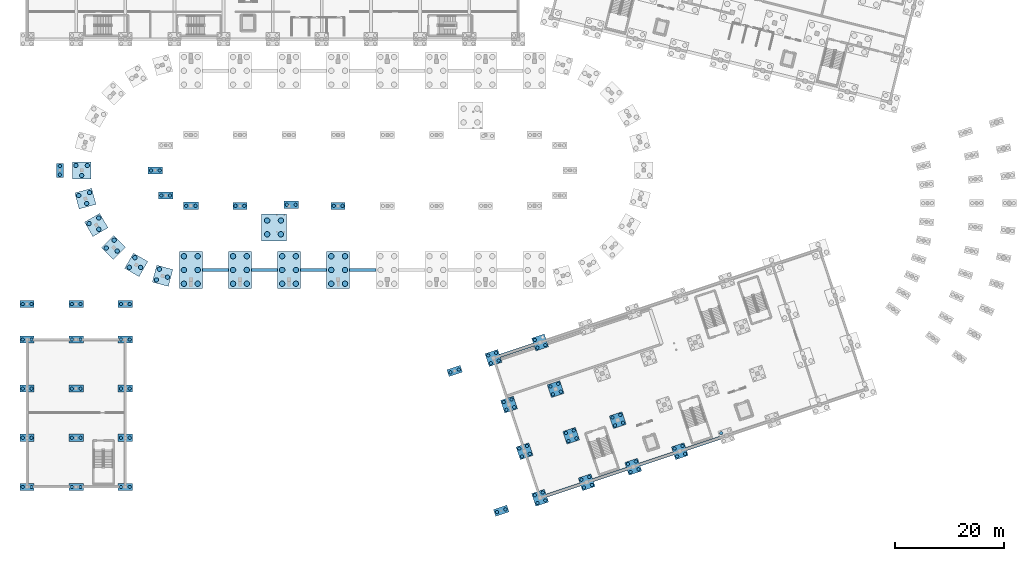
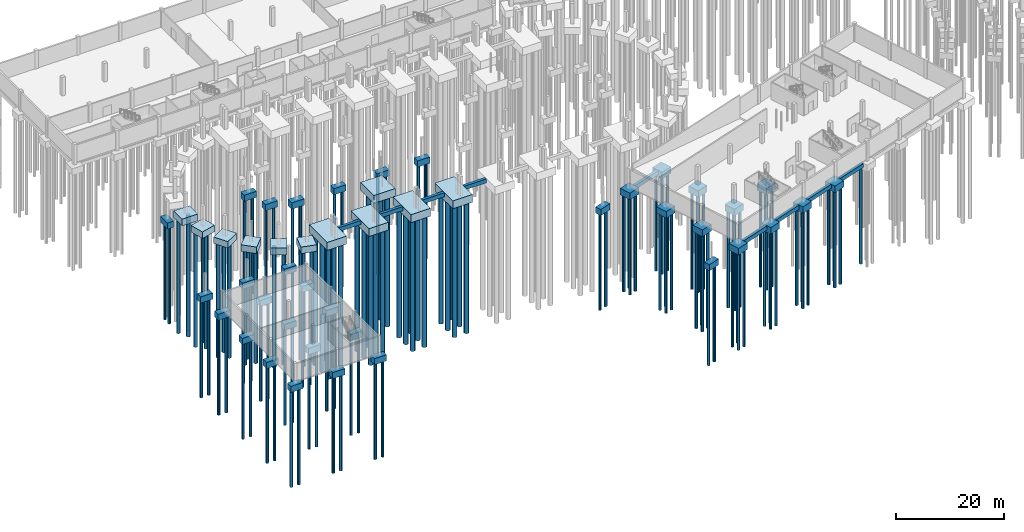
# One storey, part 1 of 36: 138 piles, 55 footings.
"""IFC4 building model written with IfcOpenShell, lengths in metres."""

from ifc_helpers import new_model, si_unit, derived_unit, direction, frame, origin, origin_2d, place, context, subcontext, project, spatial, rectangle, circle, extrude, material, material_profile, profile_set, type_object, element, save


model = new_model("IFC4")

# Units and contexts
model_context = context("Model", 3, precision=1e-05, world=origin(), true_north=direction((0.0, 1.0)))
body_context = subcontext(model_context, "Body", "Model", "MODEL_VIEW")
ifc_project = project(units=[si_unit("LENGTHUNIT", "METRE"), si_unit("AREAUNIT", "SQUARE_METRE"), si_unit("VOLUMEUNIT", "CUBIC_METRE"), si_unit("PLANEANGLEUNIT", "RADIAN"), si_unit("MASSUNIT", "GRAM", prefix="KILO"), si_unit("THERMODYNAMICTEMPERATUREUNIT", "KELVIN"), si_unit("TIMEUNIT", "SECOND"), derived_unit("THERMALTRANSMITTANCEUNIT", [(si_unit("MASSUNIT", "GRAM", prefix="KILO"), 1), (si_unit("THERMODYNAMICTEMPERATUREUNIT", "KELVIN"), -1), (si_unit("TIMEUNIT", "SECOND"), -3)])], contexts=[model_context])

# Site, building, storey
site_placement = place(None, origin())
site = spatial("IfcSite", under=ifc_project, at=site_placement, CompositionType="ELEMENT")
building_placement = place(site_placement, origin())
building = spatial("IfcBuilding", under=site, at=building_placement, Name="Cambertide Market Hall", CompositionType="ELEMENT")
storey_placement = place(building_placement, frame((0.0, 0.0, -4.199951171875)))
storey = spatial("IfcBuildingStorey", under=building, at=storey_placement, Name="B1", CompositionType="ELEMENT", Elevation=-4.199951171875)

# Piles
ifc_material_1 = material(Name="Concrete B35", Category="concrete")
ifc_material_profile_1 = material_profile(ifc_material_1, circle(Radius=0.5, at=origin_2d()), Name="BP D1000")
ifc_profile_set_1 = profile_set([ifc_material_profile_1], Name="Concrete B35")
pile_type_1 = type_object("IfcPileType", Name="Bored Pile BP-1000", PredefinedType="BORED", material=ifc_profile_set_1)
for number, where, z_axis, x_axis, name in (
    (1, (40.739990234375, 51.22998046875, -2.10009765625), (0.0, 0.0, -1.0), (1.0, 0.0, 0.0), "Basement 1 Bored Pile V1-S1-1"),
    (2, (43.260009765625, 51.22998046875, -2.10009765625), (0.0, 0.0, -1.0), (1.0, 0.0, 0.0), "Basement 1 Bored Pile V1-S1-2"),
    (3, (40.739990234375, 53.75, -2.10009765625), (0.0, 0.0, -1.0), (1.0, 0.0, 0.0), "Basement 1 Bored Pile V1-S1-3"),
    (4, (43.260009765625, 53.75, -2.10009765625), (0.0, 0.0, -1.0), (1.0, 0.0, 0.0), "Basement 1 Bored Pile V1-S1-4"),
    (5, (40.739990234375, 56.27001953125, -2.10009765625), (0.0, 0.0, -1.0), (1.0, 0.0, 0.0), "Basement 1 Bored Pile V1-S1-5"),
    (6, (43.260009765625, 56.27001953125, -2.10009765625), (0.0, 0.0, -1.0), (1.0, 0.0, 0.0), "Basement 1 Bored Pile V1-S1-6"),
    (7, (49.739990234375, 51.22998046875, -2.10009765625), (0.0, 0.0, -1.0), (1.0, 0.0, 0.0), "Basement 1 Bored Pile V1-S2-1"),
    (8, (52.260009765625, 51.22998046875, -2.10009765625), (0.0, 0.0, -1.0), (1.0, 0.0, 0.0), "Basement 1 Bored Pile V1-S2-2"),
    (9, (49.739990234375, 53.75, -2.10009765625), (0.0, 0.0, -1.0), (1.0, 0.0, 0.0), "Basement 1 Bored Pile V1-S2-3"),
    (10, (52.260009765625, 53.75, -2.10009765625), (0.0, 0.0, -1.0), (1.0, 0.0, 0.0), "Basement 1 Bored Pile V1-S2-4"),
    (11, (49.739990234375, 56.27001953125, -2.10009765625), (0.0, 0.0, -1.0), (1.0, 0.0, 0.0), "Basement 1 Bored Pile V1-S2-5"),
    (12, (52.260009765625, 56.27001953125, -2.10009765625), (0.0, 0.0, -1.0), (1.0, 0.0, 0.0), "Basement 1 Bored Pile V1-S2-6"),
    (13, (58.739990234375, 51.22998046875, -2.10009765625), (0.0, 0.0, -1.0), (1.0, 0.0, 0.0), "Basement 1 Bored Pile V1-S3-1"),
    (14, (61.260009765625, 51.22998046875, -2.10009765625), (0.0, 0.0, -1.0), (1.0, 0.0, 0.0), "Basement 1 Bored Pile V1-S3-2"),
    (15, (58.739990234375, 53.75, -2.10009765625), (0.0, 0.0, -1.0), (1.0, 0.0, 0.0), "Basement 1 Bored Pile V1-S3-3"),
    (16, (61.260009765625, 53.75, -2.10009765625), (0.0, 0.0, -1.0), (1.0, 0.0, 0.0), "Basement 1 Bored Pile V1-S3-4"),
    (17, (58.739990234375, 56.27001953125, -2.10009765625), (0.0, 0.0, -1.0), (1.0, 0.0, 0.0), "Basement 1 Bored Pile V1-S3-5"),
    (18, (61.260009765625, 56.27001953125, -2.10009765625), (0.0, 0.0, -1.0), (1.0, 0.0, 0.0), "Basement 1 Bored Pile V1-S3-6"),
    (19, (67.739990234375, 51.22998046875, -2.10009765625), (0.0, 0.0, -1.0), (1.0, 0.0, 0.0), "Basement 1 Bored Pile V1-S4-1"),
    (20, (70.260009765625, 51.22998046875, -2.10009765625), (0.0, 0.0, -1.0), (1.0, 0.0, 0.0), "Basement 1 Bored Pile V1-S4-2"),
    (21, (67.739990234375, 53.75, -2.10009765625), (0.0, 0.0, -1.0), (1.0, 0.0, 0.0), "Basement 1 Bored Pile V1-S4-3"),
    (22, (70.260009765625, 53.75, -2.10009765625), (0.0, 0.0, -1.0), (1.0, 0.0, 0.0), "Basement 1 Bored Pile V1-S4-4"),
    (23, (67.739990234375, 56.27001953125, -2.10009765625), (0.0, 0.0, -1.0), (1.0, 0.0, 0.0), "Basement 1 Bored Pile V1-S4-5"),
    (24, (70.260009765625, 56.27001953125, -2.10009765625), (0.0, 0.0, -1.0), (1.0, 0.0, 0.0), "Basement 1 Bored Pile V1-S4-6"),
    (25, (55.989990234375, 60.2900390625, -1.949951171875), (0.0, 0.0, -1.0), (1.0, 0.0, 0.0), "Basement 1 Feature Stair Bored Pile ST10-1"),
    (26, (58.510009765625, 60.2900390625, -1.949951171875), (0.0, 0.0, -1.0), (1.0, 0.0, 0.0), "Basement 1 Feature Stair Bored Pile ST10-2"),
    (27, (55.989990234375, 62.81005859375, -1.949951171875), (0.0, 0.0, -1.0), (1.0, 0.0, 0.0), "Basement 1 Feature Stair Bored Pile ST10-3"),
    (28, (58.510009765625, 62.81005859375, -1.949951171875), (0.0, 0.0, -1.0), (1.0, 0.0, 0.0), "Basement 1 Feature Stair Bored Pile ST10-4"),
):
    element("IfcPile", number, at=place(storey_placement, frame(where, z_axis=z_axis, x_axis=x_axis)), inside=storey, type_object=pile_type_1, Name=name, PredefinedType="BORED", context=body_context, shape_type="SweptSolid", body=[
        extrude(circle(Radius=0.5, at=origin_2d()), origin(), (0.0, 0.0, 1.0), 29.800048828125),
    ])
ifc_material_2 = material(Name="Concrete B35", Category="concrete")
ifc_material_profile_2 = material_profile(ifc_material_2, circle(Radius=0.300048828125, at=origin_2d()), Name="BP D600")
ifc_profile_set_2 = profile_set([ifc_material_profile_2], Name="Concrete B35")
pile_type_2 = type_object("IfcPileType", Name="Bored Pile BP-600", PredefinedType="BORED", material=ifc_profile_set_2)
for number, where, z_axis, x_axis, name in (
    (29, (41.14990234375, 65.5, -1.75), (0.0, 0.0, -1.0), (1.0, 0.0, 0.0), "Basement 1 Bored Pile V1-MS1-1"),
    (30, (42.85009765625, 65.5, -1.75), (0.0, 0.0, -1.0), (1.0, 0.0, 0.0), "Basement 1 Bored Pile V1-MS1-2"),
    (31, (50.199951171875, 65.5, -1.699951171875), (0.0, 0.0, -1.0), (1.0, 0.0, 0.0), "Basement 1 Bored Pile V1-MS2-1"),
    (32, (51.800048828125, 65.5, -1.699951171875), (0.0, 0.0, -1.0), (1.0, 0.0, 0.0), "Basement 1 Bored Pile V1-MS2-2"),
    (33, (59.60009765625, 65.699951171875, -1.699951171875), (0.0, 0.0, -1.0), (1.0, 0.0, 0.0), "Basement 1 Bored Pile V1-MS3-1"),
    (34, (61.199951171875, 65.699951171875, -1.699951171875), (0.0, 0.0, -1.0), (1.0, 0.0, 0.0), "Basement 1 Bored Pile V1-MS3-2"),
    (35, (68.199951171875, 65.5, -1.699951171875), (0.0, 0.0, -1.0), (1.0, 0.0, 0.0), "Basement 1 Bored Pile V1-MS4-1"),
    (36, (69.800048828125, 65.5, -1.699951171875), (0.0, 0.0, -1.0), (1.0, 0.0, 0.0), "Basement 1 Bored Pile V1-MS4-2"),
    (37, (34.699951171875, 72.0, -1.699951171875), (0.0, 0.0, -1.0), (1.0, 0.0, 0.0), "Basement 1 Bored Pile V1-MW12-1"),
    (38, (36.300048828125, 72.0, -1.699951171875), (0.0, 0.0, -1.0), (1.0, 0.0, 0.0), "Basement 1 Bored Pile V1-MW12-2"),
    (39, (36.603759765625, 67.40380859375, -1.699951171875), (0.0, 0.0, -1.0), (1.0, 0.0, 0.0), "Basement 1 Bored Pile V1-MW18-1"),
    (40, (38.203857421875, 67.40380859375, -1.699951171875), (0.0, 0.0, -1.0), (1.0, 0.0, 0.0), "Basement 1 Bored Pile V1-MW18-2"),
    (41, (11.199951171875, 14.0, -1.699951171875), (0.0, 0.0, -1.0), (1.0, 0.0, 0.0), "Basement 1 Bored Pile V2SW-1-1-1"),
    (42, (12.800048828125, 14.0, -1.699951171875), (0.0, 0.0, -1.0), (1.0, 0.0, 0.0), "Basement 1 Bored Pile V2SW-1-1-2"),
    (43, (11.199951171875, 23.0, -1.699951171875), (0.0, 0.0, -1.0), (1.0, 0.0, 0.0), "Basement 1 Bored Pile V2SW-1-2-1"),
    (44, (12.800048828125, 23.0, -1.699951171875), (0.0, 0.0, -1.0), (1.0, 0.0, 0.0), "Basement 1 Bored Pile V2SW-1-2-2"),
    (45, (11.199951171875, 32.0, -1.699951171875), (0.0, 0.0, -1.0), (1.0, 0.0, 0.0), "Basement 1 Bored Pile V2SW-1-3-1"),
    (46, (12.800048828125, 32.0, -1.699951171875), (0.0, 0.0, -1.0), (1.0, 0.0, 0.0), "Basement 1 Bored Pile V2SW-1-3-2"),
    (47, (11.199951171875, 41.0, -1.699951171875), (0.0, 0.0, -1.0), (1.0, 0.0, 0.0), "Basement 1 Bored Pile V2SW-1-4-1"),
    (48, (12.800048828125, 41.0, -1.699951171875), (0.0, 0.0, -1.0), (1.0, 0.0, 0.0), "Basement 1 Bored Pile V2SW-1-4-2"),
    (49, (20.199951171875, 14.0, -1.699951171875), (0.0, 0.0, -1.0), (1.0, 0.0, 0.0), "Basement 1 Bored Pile V2SW-2-1-1"),
    (50, (21.800048828125, 14.0, -1.699951171875), (0.0, 0.0, -1.0), (1.0, 0.0, 0.0), "Basement 1 Bored Pile V2SW-2-1-2"),
    (51, (20.199951171875, 23.0, -1.699951171875), (0.0, 0.0, -1.0), (1.0, 0.0, 0.0), "Basement 1 Bored Pile V2SW-2-2-1"),
    (52, (21.800048828125, 23.0, -1.699951171875), (0.0, 0.0, -1.0), (1.0, 0.0, 0.0), "Basement 1 Bored Pile V2SW-2-2-2"),
    (53, (20.199951171875, 32.0, -1.699951171875), (0.0, 0.0, -1.0), (1.0, 0.0, 0.0), "Basement 1 Bored Pile V2SW-2-3-1"),
    (54, (21.800048828125, 32.0, -1.699951171875), (0.0, 0.0, -1.0), (1.0, 0.0, 0.0), "Basement 1 Bored Pile V2SW-2-3-2"),
    (55, (20.199951171875, 41.0, -1.699951171875), (0.0, 0.0, -1.0), (1.0, 0.0, 0.0), "Basement 1 Bored Pile V2SW-2-4-1"),
    (56, (21.800048828125, 41.0, -1.699951171875), (0.0, 0.0, -1.0), (1.0, 0.0, 0.0), "Basement 1 Bored Pile V2SW-2-4-2"),
    (57, (29.199951171875, 14.0, -1.699951171875), (0.0, 0.0, -1.0), (1.0, 0.0, 0.0), "Basement 1 Bored Pile V2SW-3-1-1"),
    (58, (30.800048828125, 14.0, -1.699951171875), (0.0, 0.0, -1.0), (1.0, 0.0, 0.0), "Basement 1 Bored Pile V2SW-3-1-2"),
    (59, (29.199951171875, 23.0, -1.699951171875), (0.0, 0.0, -1.0), (1.0, 0.0, 0.0), "Basement 1 Bored Pile V2SW-3-2-1"),
    (60, (30.800048828125, 23.0, -1.699951171875), (0.0, 0.0, -1.0), (1.0, 0.0, 0.0), "Basement 1 Bored Pile V2SW-3-2-2"),
    (61, (29.199951171875, 32.0, -1.699951171875), (0.0, 0.0, -1.0), (1.0, 0.0, 0.0), "Basement 1 Bored Pile V2SW-3-3-1"),
    (62, (30.800048828125, 32.0, -1.699951171875), (0.0, 0.0, -1.0), (1.0, 0.0, 0.0), "Basement 1 Bored Pile V2SW-3-3-2"),
    (63, (29.199951171875, 41.0, -1.699951171875), (0.0, 0.0, -1.0), (1.0, 0.0, 0.0), "Basement 1 Bored Pile V2SW-3-4-1"),
    (64, (30.800048828125, 41.0, -1.699951171875), (0.0, 0.0, -1.0), (1.0, 0.0, 0.0), "Basement 1 Bored Pile V2SW-3-4-2"),
    (65, (11.199951171875, 47.5, -1.699951171875), (0.0, 0.0, -1.0), (1.0, 0.0, 0.0), "Basement 1 Bored Pile V2SW-LNK1-1"),
    (66, (12.800048828125, 47.5, -1.699951171875), (0.0, 0.0, -1.0), (1.0, 0.0, 0.0), "Basement 1 Bored Pile V2SW-LNK1-2"),
    (67, (20.199951171875, 47.5, -1.699951171875), (0.0, 0.0, -1.0), (1.0, 0.0, 0.0), "Basement 1 Bored Pile V2SW-LNK2-1"),
    (68, (21.800048828125, 47.5, -1.699951171875), (0.0, 0.0, -1.0), (1.0, 0.0, 0.0), "Basement 1 Bored Pile V2SW-LNK2-2"),
    (69, (29.199951171875, 47.5, -1.699951171875), (0.0, 0.0, -1.0), (1.0, 0.0, 0.0), "Basement 1 Bored Pile V2SW-LNK3-1"),
    (70, (30.800048828125, 47.5, -1.699951171875), (0.0, 0.0, -1.0), (1.0, 0.0, 0.0), "Basement 1 Bored Pile V2SW-LNK3-2"),
    (71, (105.5224609375, 11.044921875, -1.800048828125), (0.0, 0.0, -1.0), (1.0, 0.0, 0.0), "Basement 1 Bored Pile V3-1-1-1"),
    (72, (106.955078125, 11.5224609375, -1.800048828125), (0.0, 0.0, -1.0), (1.0, 0.0, 0.0), "Basement 1 Bored Pile V3-1-1-2"),
    (73, (105.044921875, 12.4775390625, -1.800048828125), (0.0, 0.0, -1.0), (1.0, 0.0, 0.0), "Basement 1 Bored Pile V3-1-1-3"),
    (74, (106.4775390625, 12.955078125, -1.800048828125), (0.0, 0.0, -1.0), (1.0, 0.0, 0.0), "Basement 1 Bored Pile V3-1-1-4"),
    (75, (102.676513671875, 19.583251953125, -1.800048828125), (0.0, 0.0, -1.0), (1.0, 0.0, 0.0), "Basement 1 Bored Pile V3-1-2-1"),
    (76, (104.10888671875, 20.060546875, -1.800048828125), (0.0, 0.0, -1.0), (1.0, 0.0, 0.0), "Basement 1 Bored Pile V3-1-2-2"),
    (77, (102.198974609375, 21.015625, -1.800048828125), (0.0, 0.0, -1.0), (1.0, 0.0, 0.0), "Basement 1 Bored Pile V3-1-2-3"),
    (78, (103.63134765625, 21.4931640625, -1.800048828125), (0.0, 0.0, -1.0), (1.0, 0.0, 0.0), "Basement 1 Bored Pile V3-1-2-4"),
    (79, (99.830322265625, 28.121337890625, -1.800048828125), (0.0, 0.0, -1.0), (1.0, 0.0, 0.0), "Basement 1 Bored Pile V3-1-3-1"),
    (80, (101.262939453125, 28.598876953125, -1.800048828125), (0.0, 0.0, -1.0), (1.0, 0.0, 0.0), "Basement 1 Bored Pile V3-1-3-2"),
    (81, (99.352783203125, 29.5537109375, -1.800048828125), (0.0, 0.0, -1.0), (1.0, 0.0, 0.0), "Basement 1 Bored Pile V3-1-3-3"),
    (82, (100.785400390625, 30.03125, -1.800048828125), (0.0, 0.0, -1.0), (1.0, 0.0, 0.0), "Basement 1 Bored Pile V3-1-3-4"),
    (83, (96.984375, 36.659423828125, -1.800048828125), (0.0, 0.0, -1.0), (1.0, 0.0, 0.0), "Basement 1 Bored Pile V3-1-4-1"),
    (84, (98.416748046875, 37.136962890625, -1.800048828125), (0.0, 0.0, -1.0), (1.0, 0.0, 0.0), "Basement 1 Bored Pile V3-1-4-2"),
    (85, (96.5068359375, 38.092041015625, -1.800048828125), (0.0, 0.0, -1.0), (1.0, 0.0, 0.0), "Basement 1 Bored Pile V3-1-4-3"),
    (86, (97.939453125, 38.5693359375, -1.800048828125), (0.0, 0.0, -1.0), (1.0, 0.0, 0.0), "Basement 1 Bored Pile V3-1-4-4"),
    (87, (114.060546875, 13.89111328125, -1.800048828125), (0.0, 0.0, -1.0), (1.0, 0.0, 0.0), "Basement 1 Bored Pile V3-2-1-1"),
    (88, (115.4931640625, 14.36865234375, -1.800048828125), (0.0, 0.0, -1.0), (1.0, 0.0, 0.0), "Basement 1 Bored Pile V3-2-1-2"),
    (89, (113.583251953125, 15.323486328125, -1.800048828125), (0.0, 0.0, -1.0), (1.0, 0.0, 0.0), "Basement 1 Bored Pile V3-2-1-3"),
    (90, (115.015625, 15.801025390625, -1.800048828125), (0.0, 0.0, -1.0), (1.0, 0.0, 0.0), "Basement 1 Bored Pile V3-2-1-4"),
    (91, (111.214599609375, 22.42919921875, -1.800048828125), (0.0, 0.0, -1.0), (1.0, 0.0, 0.0), "Basement 1 Bored Pile V3-2-2-1"),
    (92, (112.647216796875, 22.90673828125, -1.800048828125), (0.0, 0.0, -1.0), (1.0, 0.0, 0.0), "Basement 1 Bored Pile V3-2-2-2"),
    (93, (110.737060546875, 23.86181640625, -1.800048828125), (0.0, 0.0, -1.0), (1.0, 0.0, 0.0), "Basement 1 Bored Pile V3-2-2-3"),
    (94, (112.169677734375, 24.339111328125, -1.800048828125), (0.0, 0.0, -1.0), (1.0, 0.0, 0.0), "Basement 1 Bored Pile V3-2-2-4"),
    (95, (108.36865234375, 30.96728515625, -1.800048828125), (0.0, 0.0, -1.0), (1.0, 0.0, 0.0), "Basement 1 Bored Pile V3-2-3-1"),
    (96, (109.801025390625, 31.44482421875, -1.800048828125), (0.0, 0.0, -1.0), (1.0, 0.0, 0.0), "Basement 1 Bored Pile V3-2-3-2"),
    (97, (107.89111328125, 32.39990234375, -1.800048828125), (0.0, 0.0, -1.0), (1.0, 0.0, 0.0), "Basement 1 Bored Pile V3-2-3-3"),
    (98, (109.323486328125, 32.87744140625, -1.800048828125), (0.0, 0.0, -1.0), (1.0, 0.0, 0.0), "Basement 1 Bored Pile V3-2-3-4"),
    (99, (105.5224609375, 39.50537109375, -1.800048828125), (0.0, 0.0, -1.0), (1.0, 0.0, 0.0), "Basement 1 Bored Pile V3-2-4-1"),
    (100, (106.955078125, 39.98291015625, -1.800048828125), (0.0, 0.0, -1.0), (1.0, 0.0, 0.0), "Basement 1 Bored Pile V3-2-4-2"),
    (101, (105.044921875, 40.93798828125, -1.800048828125), (0.0, 0.0, -1.0), (1.0, 0.0, 0.0), "Basement 1 Bored Pile V3-2-4-3"),
    (102, (122.598876953125, 16.737060546875, -1.800048828125), (0.0, 0.0, -1.0), (1.0, 0.0, 0.0), "Basement 1 Bored Pile V3-3-1-1"),
    (103, (124.03125, 17.214599609375, -1.800048828125), (0.0, 0.0, -1.0), (1.0, 0.0, 0.0), "Basement 1 Bored Pile V3-3-1-2"),
    (104, (122.121337890625, 18.169677734375, -1.800048828125), (0.0, 0.0, -1.0), (1.0, 0.0, 0.0), "Basement 1 Bored Pile V3-3-1-3"),
    (105, (123.5537109375, 18.647216796875, -1.800048828125), (0.0, 0.0, -1.0), (1.0, 0.0, 0.0), "Basement 1 Bored Pile V3-3-1-4"),
    (106, (119.752685546875, 25.275146484375, -1.800048828125), (0.0, 0.0, -1.0), (1.0, 0.0, 0.0), "Basement 1 Bored Pile V3-3-2-1"),
    (107, (121.185302734375, 25.752685546875, -1.800048828125), (0.0, 0.0, -1.0), (1.0, 0.0, 0.0), "Basement 1 Bored Pile V3-3-2-2"),
    (108, (119.275146484375, 26.707763671875, -1.800048828125), (0.0, 0.0, -1.0), (1.0, 0.0, 0.0), "Basement 1 Bored Pile V3-3-2-3"),
    (109, (120.707763671875, 27.185302734375, -1.800048828125), (0.0, 0.0, -1.0), (1.0, 0.0, 0.0), "Basement 1 Bored Pile V3-3-2-4"),
    (110, (131.136962890625, 19.583251953125, -1.800048828125), (0.0, 0.0, -1.0), (1.0, 0.0, 0.0), "Basement 1 Bored Pile V3-4-1-1"),
    (111, (132.5693359375, 20.060546875, -1.800048828125), (0.0, 0.0, -1.0), (1.0, 0.0, 0.0), "Basement 1 Bored Pile V3-4-1-2"),
    (112, (130.659423828125, 21.015625, -1.800048828125), (0.0, 0.0, -1.0), (1.0, 0.0, 0.0), "Basement 1 Bored Pile V3-4-1-3"),
    (113, (132.092041015625, 21.4931640625, -1.800048828125), (0.0, 0.0, -1.0), (1.0, 0.0, 0.0), "Basement 1 Bored Pile V3-4-1-4"),
    (114, (139.197509765625, 23.86181640625, -1.800048828125), (0.0, 0.0, -1.0), (1.0, 0.0, 0.0), "Basement 1 Bored Pile V3-5-1-3"),
    (115, (98.1259765625, 9.375244140625, -1.699951171875), (0.0, 0.0, -1.0), (1.0, 0.0, 0.0), "Basement 1 Bored Pile V3APR-1-1"),
    (116, (99.643798828125, 9.88134765625, -1.699951171875), (0.0, 0.0, -1.0), (1.0, 0.0, 0.0), "Basement 1 Bored Pile V3APR-1-2"),
    (117, (89.587890625, 34.98974609375, -1.699951171875), (0.0, 0.0, -1.0), (1.0, 0.0, 0.0), "Basement 1 Bored Pile V3APR-2-1"),
    (118, (91.105712890625, 35.49560546875, -1.699951171875), (0.0, 0.0, -1.0), (1.0, 0.0, 0.0), "Basement 1 Bored Pile V3APR-2-2"),
    (119, (18.0, 71.199951171875, -1.699951171875), (0.0, 0.0, -1.0), (1.0, 0.0, 0.0), "Basement 1 Bored Pile PR01-SUP-1"),
    (120, (18.0, 72.800048828125, -1.699951171875), (0.0, 0.0, -1.0), (1.0, 0.0, 0.0), "Basement 1 Bored Pile PR01-SUP-2"),
):
    element("IfcPile", number, at=place(storey_placement, frame(where, z_axis=z_axis, x_axis=x_axis)), inside=storey, type_object=pile_type_2, Name=name, PredefinedType="BORED", context=body_context, shape_type="SweptSolid", body=[
        extrude(circle(Radius=0.300048828125, at=origin_2d()), origin(), (0.0, 0.0, 1.0), 22.0),
    ])
ifc_material_3 = material(Name="Concrete B35", Category="concrete")
ifc_material_profile_3 = material_profile(ifc_material_3, circle(Radius=0.39990234375, at=origin_2d()), Name="BP D800")
ifc_profile_set_3 = profile_set([ifc_material_profile_3], Name="Concrete B35")
pile_type_3 = type_object("IfcPileType", Name="Bored Pile BP-800", PredefinedType="BORED", material=ifc_profile_set_3)
for number, where, z_axis, x_axis, name in (
    (121, (23.050048828125, 72.89990234375, -1.85009765625), (0.0, 0.0, -1.0), (1.0, 0.0, 0.0), "Basement 1 Bored Pile V1-AW12-1"),
    (122, (20.949951171875, 72.89990234375, -1.85009765625), (0.0, 0.0, -1.0), (1.0, 0.0, 0.0), "Basement 1 Bored Pile V1-AW12-2"),
    (123, (22.0, 71.050048828125, -1.85009765625), (0.0, 0.0, -1.0), (1.0, 0.0, 0.0), "Basement 1 Bored Pile V1-AW12-3"),
    (124, (23.43896484375, 67.937744140625, -1.800048828125), (0.0, 0.0, -1.0), (1.0, 0.0, 0.0), "Basement 1 Bored Pile V1-AW14-1"),
    (125, (21.468505859375, 67.40966796875, -1.800048828125), (0.0, 0.0, -1.0), (1.0, 0.0, 0.0), "Basement 1 Bored Pile V1-AW14-2"),
    (126, (22.919677734375, 65.93505859375, -1.800048828125), (0.0, 0.0, -1.0), (1.0, 0.0, 0.0), "Basement 1 Bored Pile V1-AW14-3"),
    (127, (25.122802734375, 63.272216796875, -1.800048828125), (0.0, 0.0, -1.0), (1.0, 0.0, 0.0), "Basement 1 Bored Pile V1-AW16-1"),
    (128, (23.356201171875, 62.252197265625, -1.800048828125), (0.0, 0.0, -1.0), (1.0, 0.0, 0.0), "Basement 1 Bored Pile V1-AW16-2"),
    (129, (25.139404296875, 61.203369140625, -1.800048828125), (0.0, 0.0, -1.0), (1.0, 0.0, 0.0), "Basement 1 Bored Pile V1-AW16-3"),
    (130, (27.956787109375, 59.201416015625, -1.800048828125), (0.0, 0.0, -1.0), (1.0, 0.0, 0.0), "Basement 1 Bored Pile V1-AW18-1"),
    (131, (26.514404296875, 57.7587890625, -1.800048828125), (0.0, 0.0, -1.0), (1.0, 0.0, 0.0), "Basement 1 Bored Pile V1-AW18-2"),
    (132, (28.50830078125, 57.207275390625, -1.800048828125), (0.0, 0.0, -1.0), (1.0, 0.0, 0.0), "Basement 1 Bored Pile V1-AW18-3"),
    (133, (31.747802734375, 56.0029296875, -1.800048828125), (0.0, 0.0, -1.0), (1.0, 0.0, 0.0), "Basement 1 Bored Pile V1-AW20-1"),
    (134, (30.727783203125, 54.236083984375, -1.800048828125), (0.0, 0.0, -1.0), (1.0, 0.0, 0.0), "Basement 1 Bored Pile V1-AW20-2"),
    (135, (32.796630859375, 54.219482421875, -1.800048828125), (0.0, 0.0, -1.0), (1.0, 0.0, 0.0), "Basement 1 Bored Pile V1-AW20-3"),
    (136, (36.237548828125, 53.89453125, -1.800048828125), (0.0, 0.0, -1.0), (1.0, 0.0, 0.0), "Basement 1 Bored Pile V1-AW22-1"),
    (137, (35.709716796875, 51.924072265625, -1.800048828125), (0.0, 0.0, -1.0), (1.0, 0.0, 0.0), "Basement 1 Bored Pile V1-AW22-2"),
    (138, (37.712158203125, 52.443359375, -1.800048828125), (0.0, 0.0, -1.0), (1.0, 0.0, 0.0), "Basement 1 Bored Pile V1-AW22-3"),
):
    element("IfcPile", number, at=place(storey_placement, frame(where, z_axis=z_axis, x_axis=x_axis)), inside=storey, type_object=pile_type_3, Name=name, PredefinedType="BORED", context=body_context, shape_type="SweptSolid", body=[
        extrude(circle(Radius=0.39990234375, at=origin_2d()), origin(), (0.0, 0.0, 1.0), 26.0),
    ])

# Footings
ifc_material_4 = material(Name="Concrete B35", Category="concrete")
footing_type_1 = type_object("IfcFootingType", Name="Concrete Pile Cap PC-02", PredefinedType="PILE_CAP", material=ifc_material_4)
for number, where, z_axis, x_axis, name in (
    (139, (51.0, 65.5, -1.800048828125), (0.0, 0.0, 1.0), (1.0, 0.0, 0.0), "Basement 1 Pile Cap V1-MS2"),
    (140, (60.39990234375, 65.699951171875, -1.800048828125), (0.0, 0.0, 1.0), (1.0, 0.0, 0.0), "Basement 1 Pile Cap V1-MS3"),
    (141, (69.0, 65.5, -1.800048828125), (0.0, 0.0, 1.0), (1.0, 0.0, 0.0), "Basement 1 Pile Cap V1-MS4"),
    (142, (35.5, 72.0, -1.800048828125), (0.0, 0.0, 1.0), (1.0, 0.0, 0.0), "Basement 1 Pile Cap V1-MW12"),
    (143, (37.40380859375, 67.40380859375, -1.800048828125), (0.0, 0.0, 1.0), (1.0, 0.0, 0.0), "Basement 1 Pile Cap V1-MW18"),
    (144, (12.0, 14.0, -1.800048828125), (0.0, 0.0, 1.0), (1.0, 0.0, 0.0), "Basement 1 Pile Cap V2SW-1-1"),
    (145, (12.0, 23.0, -1.800048828125), (0.0, 0.0, 1.0), (1.0, 0.0, 0.0), "Basement 1 Pile Cap V2SW-1-2"),
    (146, (12.0, 32.0, -1.800048828125), (0.0, 0.0, 1.0), (1.0, 0.0, 0.0), "Basement 1 Pile Cap V2SW-1-3"),
    (147, (12.0, 41.0, -1.800048828125), (0.0, 0.0, 1.0), (1.0, 0.0, 0.0), "Basement 1 Pile Cap V2SW-1-4"),
    (148, (21.0, 14.0, -1.800048828125), (0.0, 0.0, 1.0), (1.0, 0.0, 0.0), "Basement 1 Pile Cap V2SW-2-1"),
    (149, (21.0, 23.0, -1.800048828125), (0.0, 0.0, 1.0), (1.0, 0.0, 0.0), "Basement 1 Pile Cap V2SW-2-2"),
    (150, (21.0, 32.0, -1.800048828125), (0.0, 0.0, 1.0), (1.0, 0.0, 0.0), "Basement 1 Pile Cap V2SW-2-3"),
    (151, (21.0, 41.0, -1.800048828125), (0.0, 0.0, 1.0), (1.0, 0.0, 0.0), "Basement 1 Pile Cap V2SW-2-4"),
    (152, (30.0, 14.0, -1.800048828125), (0.0, 0.0, 1.0), (1.0, 0.0, 0.0), "Basement 1 Pile Cap V2SW-3-1"),
    (153, (30.0, 23.0, -1.800048828125), (0.0, 0.0, 1.0), (1.0, 0.0, 0.0), "Basement 1 Pile Cap V2SW-3-2"),
    (154, (30.0, 32.0, -1.800048828125), (0.0, 0.0, 1.0), (1.0, 0.0, 0.0), "Basement 1 Pile Cap V2SW-3-3"),
    (155, (30.0, 41.0, -1.800048828125), (0.0, 0.0, 1.0), (1.0, 0.0, 0.0), "Basement 1 Pile Cap V2SW-3-4"),
    (156, (12.0, 47.5, -1.800048828125), (0.0, 0.0, 1.0), (1.0, 0.0, 0.0), "Basement 1 Pile Cap V2SW-LNK1"),
    (157, (21.0, 47.5, -1.800048828125), (0.0, 0.0, 1.0), (1.0, 0.0, 0.0), "Basement 1 Pile Cap V2SW-LNK2"),
    (158, (30.0, 47.5, -1.800048828125), (0.0, 0.0, 1.0), (1.0, 0.0, 0.0), "Basement 1 Pile Cap V2SW-LNK3"),
    (159, (98.884765625, 9.628173828125, -1.800048828125), (0.0, 0.0, 1.0), (0.94868329805, 0.316227766018, 0.0), "Basement 1 Pile Cap V3APR-1"),
    (160, (90.3466796875, 35.24267578125, -1.800048828125), (0.0, 0.0, 1.0), (0.94868329805, 0.316227766018, 0.0), "Basement 1 Pile Cap V3APR-2"),
    (161, (18.0, 72.0, -1.800048828125), (0.0, 0.0, 1.0), (0.0, 1.0, 0.0), "Basement 1 Pile Cap PR01-SUP"),
):
    element("IfcFooting", number, at=place(storey_placement, frame(where, z_axis=z_axis, x_axis=x_axis)), inside=storey, type_object=footing_type_1, Name=name, PredefinedType="PILE_CAP", context=body_context, shape_type="SweptSolid", body=[
        extrude(rectangle(XDim=2.60009765625, YDim=1.300048828125, at=origin_2d()), origin(), (0.0, 0.0, 1.0), 1.39990234375),
    ])
ifc_material_5 = material(Name="Concrete B35", Category="concrete")
footing_type_2 = type_object("IfcFootingType", Name="Concrete Pile Cap PC-02B", PredefinedType="PILE_CAP", material=ifc_material_5)
footing_1_placement = place(storey_placement, frame((42.0, 65.5, -1.85009765625), z_axis=(0.0, 0.0, 1.0), x_axis=(1.0, 0.0, 0.0)))
element("IfcFooting", 162, at=footing_1_placement, inside=storey, type_object=footing_type_2, Name="Basement 1 Pile Cap V1-MS1", PredefinedType="PILE_CAP", context=body_context, shape_type="SweptSolid", body=[
    extrude(rectangle(XDim=2.75, YDim=1.39990234375, at=origin_2d()), origin(), (0.0, 0.0, 1.0), 1.449951171875),
])
ifc_material_6 = material(Name="Concrete B35", Category="concrete")
footing_type_3 = type_object("IfcFootingType", Name="Concrete Pile Cap PC-03", PredefinedType="PILE_CAP", material=ifc_material_6)
for number, where, z_axis, x_axis, name in (
    (163, (22.681396484375, 66.82373046875, -1.900146484375), (0.0, 0.0, 1.0), (-0.965925826289, -0.258819045103, 0.0), "Basement 1 Pile Cap V1-AW14"),
    (164, (24.679443359375, 62.0, -1.900146484375), (0.0, 0.0, 1.0), (-0.866025403784, -0.5, 0.0), "Basement 1 Pile Cap V1-AW16"),
    (165, (27.85791015625, 57.85791015625, -1.900146484375), (0.0, 0.0, 1.0), (-0.707106781187, -0.707106781187, 0.0), "Basement 1 Pile Cap V1-AW18"),
    (166, (32.0, 54.679443359375, -1.900146484375), (0.0, 0.0, 1.0), (-0.5, -0.866025403784, 0.0), "Basement 1 Pile Cap V1-AW20"),
    (167, (36.82373046875, 52.681396484375, -1.900146484375), (0.0, 0.0, 1.0), (-0.258819045103, -0.965925826289, 0.0), "Basement 1 Pile Cap V1-AW22"),
):
    element("IfcFooting", number, at=place(storey_placement, frame(where, z_axis=z_axis, x_axis=x_axis)), inside=storey, type_object=footing_type_3, Name=name, PredefinedType="PILE_CAP", context=body_context, shape_type="SweptSolid", body=[
        extrude(rectangle(XDim=3.199951171875, YDim=3.0400390625, at=origin_2d()), origin(), (0.0, 0.0, 1.0), 1.5),
    ])
ifc_material_7 = material(Name="Concrete B35", Category="concrete")
footing_type_4 = type_object("IfcFootingType", Name="Concrete Pile Cap PC-03B", PredefinedType="PILE_CAP", material=ifc_material_7)
footing_2_placement = place(storey_placement, frame((22.0, 72.0, -1.9501953125), z_axis=(0.0, 0.0, 1.0), x_axis=(-1.0, 0.0, 0.0)))
element("IfcFooting", 168, at=footing_2_placement, inside=storey, type_object=footing_type_4, Name="Basement 1 Pile Cap V1-AW12", PredefinedType="PILE_CAP", context=body_context, shape_type="SweptSolid", body=[
    extrude(rectangle(XDim=3.340087890625, YDim=3.139892578125, at=origin_2d()), origin(), (0.0, 0.0, 1.0), 1.550048828125),
])
ifc_material_8 = material(Name="Concrete B35", Category="concrete")
footing_type_5 = type_object("IfcFootingType", Name="Concrete Pile Cap PC-04A", PredefinedType="PILE_CAP", material=ifc_material_8)
for number, where, z_axis, x_axis, name in (
    (169, (106.0, 12.0, -1.900146484375), (0.0, 0.0, 1.0), (0.94868329805, 0.316227766018, 0.0), "Basement 1 Pile Cap V3-1-1"),
    (170, (103.154052734375, 20.5380859375, -1.900146484375), (0.0, 0.0, 1.0), (0.94868329805, 0.316227766018, 0.0), "Basement 1 Pile Cap V3-1-2"),
    (171, (100.307861328125, 29.076416015625, -1.900146484375), (0.0, 0.0, 1.0), (0.94868329805, 0.316227766018, 0.0), "Basement 1 Pile Cap V3-1-3"),
    (172, (97.4619140625, 37.614501953125, -1.900146484375), (0.0, 0.0, 1.0), (0.94868329805, 0.316227766018, 0.0), "Basement 1 Pile Cap V3-1-4"),
    (173, (114.5380859375, 14.845947265625, -1.900146484375), (0.0, 0.0, 1.0), (0.94868329805, 0.316227766018, 0.0), "Basement 1 Pile Cap V3-2-1"),
    (174, (111.692138671875, 23.38427734375, -1.900146484375), (0.0, 0.0, 1.0), (0.94868329805, 0.316227766018, 0.0), "Basement 1 Pile Cap V3-2-2"),
    (175, (108.845947265625, 31.92236328125, -1.900146484375), (0.0, 0.0, 1.0), (0.94868329805, 0.316227766018, 0.0), "Basement 1 Pile Cap V3-2-3"),
    (176, (106.0, 40.46044921875, -1.900146484375), (0.0, 0.0, 1.0), (0.94868329805, 0.316227766018, 0.0), "Basement 1 Pile Cap V3-2-4"),
    (177, (123.076416015625, 17.692138671875, -1.900146484375), (0.0, 0.0, 1.0), (0.94868329805, 0.316227766018, 0.0), "Basement 1 Pile Cap V3-3-1"),
    (178, (120.230224609375, 26.230224609375, -1.900146484375), (0.0, 0.0, 1.0), (0.94868329805, 0.316227766018, 0.0), "Basement 1 Pile Cap V3-3-2"),
    (179, (131.614501953125, 20.5380859375, -1.900146484375), (0.0, 0.0, 1.0), (0.94868329805, 0.316227766018, 0.0), "Basement 1 Pile Cap V3-4-1"),
):
    element("IfcFooting", number, at=place(storey_placement, frame(where, z_axis=z_axis, x_axis=x_axis)), inside=storey, type_object=footing_type_5, Name=name, PredefinedType="PILE_CAP", context=body_context, shape_type="SweptSolid", body=[
        extrude(rectangle(XDim=2.449951171875, YDim=2.449951171875, at=origin_2d()), origin(), (0.0, 0.0, 1.0), 1.5),
    ])
ifc_material_9 = material(Name="Concrete B35", Category="concrete")
footing_type_6 = type_object("IfcFootingType", Name="Concrete Pile Cap PC-04F", PredefinedType="PILE_CAP", material=ifc_material_9)
footing_3_placement = place(storey_placement, frame((57.25, 61.550048828125, -2.05029296875), z_axis=(0.0, 0.0, 1.0), x_axis=(1.0, 0.0, 0.0)))
element("IfcFooting", 180, at=footing_3_placement, inside=storey, type_object=footing_type_6, Name="Basement 1 Feature Stair Pile Cap ST10", PredefinedType="PILE_CAP", context=body_context, shape_type="SweptSolid", body=[
    extrude(rectangle(XDim=4.60009765625, YDim=5.0, at=origin_2d()), origin(), (0.0, 0.0, 1.0), 1.800048828125),
])
ifc_material_10 = material(Name="Concrete B35", Category="concrete")
footing_type_7 = type_object("IfcFootingType", Name="Concrete Pile Cap PC-06", PredefinedType="PILE_CAP", material=ifc_material_10)
for number, where, z_axis, x_axis, name in (
    (181, (42.0, 53.75, -2.2001953125), (0.0, 0.0, 1.0), (1.0, 0.0, 0.0), "Basement 1 Pile Cap V1-S1"),
    (182, (51.0, 53.75, -2.2001953125), (0.0, 0.0, 1.0), (1.0, 0.0, 0.0), "Basement 1 Pile Cap V1-S2"),
    (183, (60.0, 53.75, -2.2001953125), (0.0, 0.0, 1.0), (1.0, 0.0, 0.0), "Basement 1 Pile Cap V1-S3"),
    (184, (69.0, 53.75, -2.2001953125), (0.0, 0.0, 1.0), (1.0, 0.0, 0.0), "Basement 1 Pile Cap V1-S4"),
):
    element("IfcFooting", number, at=place(storey_placement, frame(where, z_axis=z_axis, x_axis=x_axis)), inside=storey, type_object=footing_type_7, Name=name, PredefinedType="PILE_CAP", context=body_context, shape_type="SweptSolid", body=[
        extrude(rectangle(XDim=4.199951171875, YDim=6.699951171875, at=origin_2d()), origin(), (0.0, 0.0, 1.0), 1.800048828125),
    ])
ifc_material_11 = material(Name="Concrete B35", Category="concrete")
footing_type_8 = type_object("IfcFootingType", Name="Foundation Tie Beam FB-02", PredefinedType="FOOTING_BEAM", material=ifc_material_11)
for number, where, z_axis, x_axis, name in (
    (185, (110.26904296875, 13.423095703125, -1.300048828125), (0.0, 0.0, 1.0), (0.94868329805, 0.316227766018, 0.0), "Basement 1 Foundation Tie Beam FB-V3U-1-1"),
    (186, (101.73095703125, 39.037353515625, -1.300048828125), (0.0, 0.0, 1.0), (0.94868329805, 0.316227766018, 0.0), "Basement 1 Foundation Tie Beam FB-V3U-1-4"),
    (187, (118.80712890625, 16.26904296875, -1.300048828125), (0.0, 0.0, 1.0), (0.94868328694, 0.316227799349, 0.0), "Basement 1 Foundation Tie Beam FB-V3U-2-1"),
    (188, (127.345458984375, 19.115234375, -1.300048828125), (0.0, 0.0, 1.0), (0.94868329805, 0.316227766018, 0.0), "Basement 1 Foundation Tie Beam FB-V3U-3-1"),
    (189, (135.883544921875, 21.961181640625, -1.300048828125), (0.0, 0.0, 1.0), (0.94868329805, 0.316227766018, 0.0), "Basement 1 Foundation Tie Beam FB-V3U-4-1"),
):
    element("IfcFooting", number, at=place(storey_placement, frame(where, z_axis=z_axis, x_axis=x_axis)), inside=storey, type_object=footing_type_8, Name=name, PredefinedType="FOOTING_BEAM", context=body_context, shape_type="SweptSolid", body=[
        extrude(rectangle(XDim=6.550048828125, YDim=0.60009765625, at=origin_2d()), origin(), (0.0, 0.0, 1.0), 0.89990234375),
    ])
for number, where, z_axis, x_axis, name in (
    (190, (46.5, 53.75, -1.300048828125), (0.0, 0.0, 1.0), (1.0, 0.0, 0.0), "Basement 1 Foundation Tie Beam FB-V1S-1"),
    (191, (55.5, 53.75, -1.300048828125), (0.0, 0.0, 1.0), (1.0, 0.0, 0.0), "Basement 1 Foundation Tie Beam FB-V1S-2"),
    (192, (64.5, 53.75, -1.300048828125), (0.0, 0.0, 1.0), (1.0, 0.0, 0.0), "Basement 1 Foundation Tie Beam FB-V1S-3"),
    (193, (73.5, 53.75, -1.300048828125), (0.0, 0.0, 1.0), (1.0, 0.0, 0.0), "Basement 1 Foundation Tie Beam FB-V1S-4"),
):
    element("IfcFooting", number, at=place(storey_placement, frame(where, z_axis=z_axis, x_axis=x_axis)), inside=storey, type_object=footing_type_8, Name=name, PredefinedType="FOOTING_BEAM", context=body_context, shape_type="SweptSolid", body=[
        extrude(rectangle(XDim=4.800048828125, YDim=0.60009765625, at=origin_2d()), origin(), (0.0, 0.0, 1.0), 0.89990234375),
    ])

save(model, "model.ifc")
